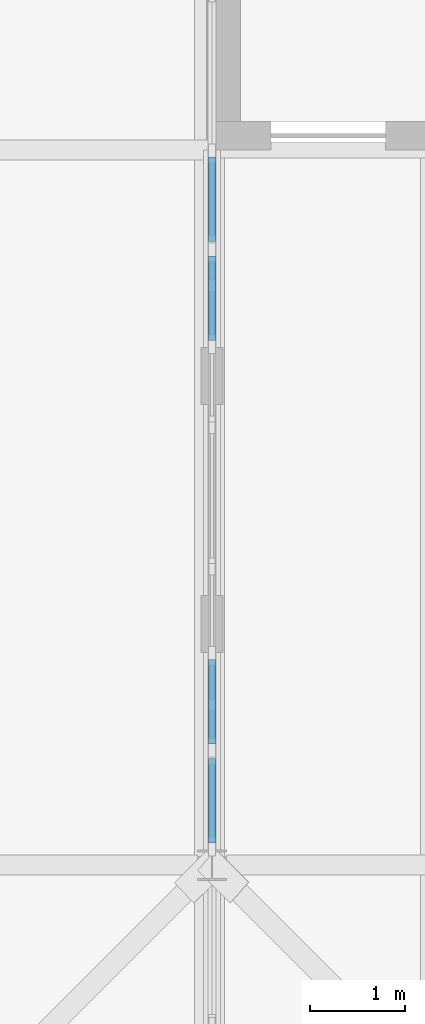
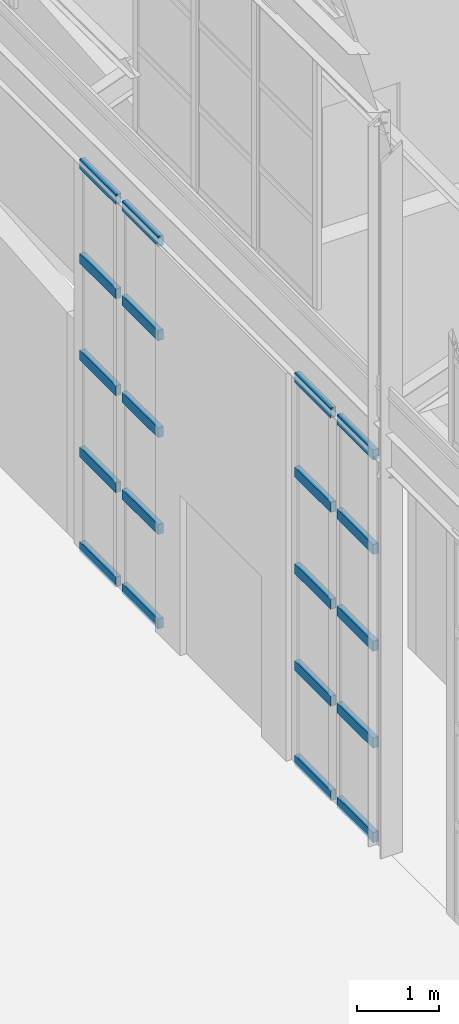
# One storey, part 105 of 483: 20 members, 4 elements without a shape of their own.
"""IFC4 building model written with IfcOpenShell, lengths in metres."""

import ifcopenshell
import ifcopenshell.guid

model = None  # the IFC model being written
_history = None  # IfcOwnerHistory: only IFC2X3 demands one
_inside = {}  # id of a spatial element -> (the spatial element, [elements in it])
_under = {}  # id of a project, library or spatial element -> (it, [spatial elements below it])
_declared = {}  # id of a project -> (the project, [libraries it declares])
_typed = {}  # id of a type object -> (the type object, [elements of that type])
_made_of = {}  # id of a material, layer set ... -> (it, [elements and type objects made of it])


def new_model(schema):
    """Start an empty IFC model of exactly this schema.

    Asked for "IFC4X3", IfcOpenShell would pick the latest addendum, in which some entities
    have other attributes; the version numbers below select the first issue.
    IFC2X3 requires an IfcOwnerHistory on every rooted entity: one is made here for all.
    """
    global model, _history
    if schema == "IFC4X3":
        model = ifcopenshell.file(schema_version=(4, 3, 0, 0))
    else:
        model = ifcopenshell.file(schema=schema)
    _inside.clear()
    _under.clear()
    _declared.clear()
    _typed.clear()
    _made_of.clear()
    _history = None
    if model.schema == "IFC2X3":
        org = make("IfcOrganization", Name="unknown")
        user = make(
            "IfcPersonAndOrganization",
            ThePerson=make("IfcPerson", FamilyName="unknown"),
            TheOrganization=org,
        )
        app = make(
            "IfcApplication",
            ApplicationDeveloper=org,
            Version="unknown",
            ApplicationFullName="unknown",
            ApplicationIdentifier="unknown",
        )
        _history = make(
            "IfcOwnerHistory",
            OwningUser=user,
            OwningApplication=app,
            ChangeAction="ADDED",
            CreationDate=0,
        )
    return model


def make(cls, **values):
    """One entity of the class cls with the attributes given. An attribute that is None is left unset."""
    return model.create_entity(
        cls, **{name: value for name, value in values.items() if value is not None}
    )


def rooted(cls, **values):
    """An entity with a GlobalId (a new one), such as an element, a storey or a relation."""
    return make(cls, GlobalId=ifcopenshell.guid.new(), OwnerHistory=_history, **values)


def si_unit(unit_type, name, prefix=None):
    """IfcSIUnit, for example si_unit("LENGTHUNIT", "METRE", prefix="MILLI")."""
    return make("IfcSIUnit", UnitType=unit_type, Prefix=prefix, Name=name)


def assignment(units):
    """IfcUnitAssignment: the units of a project."""
    return None if units is None else make("IfcUnitAssignment", Units=units)


def point(xyz):
    """IfcCartesianPoint."""
    return None if xyz is None else make("IfcCartesianPoint", Coordinates=xyz)


def direction(xyz):
    """IfcDirection."""
    return None if xyz is None else make("IfcDirection", DirectionRatios=xyz)


def frame(location, z_axis=None, x_axis=None):
    """IfcAxis2Placement3D, a coordinate frame: its origin and axes. An axis left out is left unset."""
    return make(
        "IfcAxis2Placement3D",
        Location=point(location),
        Axis=direction(z_axis),
        RefDirection=direction(x_axis),
    )


def frame_2d(location, x_axis=None):
    """IfcAxis2Placement2D, a coordinate frame in the plane: its origin and x axis."""
    return make(
        "IfcAxis2Placement2D", Location=point(location), RefDirection=direction(x_axis)
    )


def origin():
    """The frame at (0, 0, 0) with its axes left unset."""
    return frame((0.0, 0.0, 0.0))


def origin_2d():
    """The frame at (0, 0) in the plane with its x axis left unset."""
    return frame_2d((0.0, 0.0))


def place(relative_to, where):
    """IfcLocalPlacement: puts the frame where relative to a parent placement (None: the world)."""
    return make(
        "IfcLocalPlacement", PlacementRelTo=relative_to, RelativePlacement=where
    )


def context(
    kind, dimensions, precision=None, world=None, true_north=None, identifier=None
):
    """IfcGeometricRepresentationContext, for example the 3D "Model" context."""
    return make(
        "IfcGeometricRepresentationContext",
        ContextIdentifier=identifier,
        ContextType=kind,
        CoordinateSpaceDimension=dimensions,
        Precision=precision,
        WorldCoordinateSystem=world,
        TrueNorth=true_north,
    )


def subcontext(parent, identifier, kind, view, scale=None):
    """IfcGeometricRepresentationSubContext, for example "Body" below "Model"."""
    return make(
        "IfcGeometricRepresentationSubContext",
        ContextIdentifier=identifier,
        ContextType=kind,
        ParentContext=parent,
        TargetScale=scale,
        TargetView=view,
    )


def project(units=None, contexts=None):
    """IfcProject with its units and contexts."""
    return rooted(
        "IfcProject",
        Name="project",
        RepresentationContexts=contexts,
        UnitsInContext=assignment(units),
    )


def spatial(cls, under=None, at=None, **own):
    """A site, building, storey or space (cls), placed at a placement, below another one or the project."""
    s = rooted(cls, ObjectPlacement=at, **own)
    if under is not None:
        _under.setdefault(under.id(), (under, []))[1].append(s)
    return s


def profile(cls, at=None, kind="AREA", **sizes):
    """A parametric profile (cls). Its sizes go by their IFC names, for example OverallWidth=200.0."""
    return make(cls, ProfileType=kind, Position=at, **sizes)


def rectangle(**sizes):
    """IfcRectangleProfileDef."""
    return profile("IfcRectangleProfileDef", **sizes)


def extrude(swept, where, along, depth):
    """IfcExtrudedAreaSolid: the profile swept, set in the frame where, extruded along a direction by depth."""
    return make(
        "IfcExtrudedAreaSolid",
        SweptArea=swept,
        Position=where,
        ExtrudedDirection=direction(along),
        Depth=depth,
    )


def shape(context_of_items, identifier, shape_type, items):
    """IfcShapeRepresentation: the items that make up one representation, for example the "Body"."""
    return make(
        "IfcShapeRepresentation",
        ContextOfItems=context_of_items,
        RepresentationIdentifier=identifier,
        RepresentationType=shape_type,
        Items=items,
    )


def material(Name=None, Category=None):
    """IfcMaterial."""
    return make("IfcMaterial", Name=Name, Category=Category)


def material_profile(
    of_material, cross_section, Name=None, Category=None, Priority=None
):
    """IfcMaterialProfile: a cross section and its material."""
    return make(
        "IfcMaterialProfile",
        Name=Name,
        Material=of_material,
        Profile=cross_section,
        Priority=Priority,
        Category=Category,
    )


def profile_set(profiles, Name=None, composite=None):
    """IfcMaterialProfileSet."""
    return make(
        "IfcMaterialProfileSet",
        Name=Name,
        MaterialProfiles=profiles,
        CompositeProfile=composite,
    )


def made_of(thing, what):
    """Note that an element or type object is made of a material, layer set ...; save() writes the relation."""
    if what is not None:
        _made_of.setdefault(what.id(), (what, []))[1].append(thing)
    return thing


def type_object(cls, material=None, **own):
    """A type object (cls), such as IfcWallType, which elements share."""
    return made_of(rooted(cls, **own), material)


def element(
    cls,
    number,
    at=None,
    inside=None,
    cuts=None,
    type_object=None,
    material=None,
    context=None,
    identifier="Body",
    shape_type=None,
    held_by="IfcProductDefinitionShape",
    body=None,
    shapes=None,
    **own,
):
    """One element of the class cls, such as IfcWall. Its Tag is "e" and its number.

    at: its placement. inside: the storey or other place that contains it. cuts: it is an
    opening in that element (IfcRelVoidsElement). A single representation is given by context,
    identifier, shape_type and body (its items); several are given by shapes. held_by: the class
    of the entity that holds the representations. save() writes the other relations.
    """
    e = rooted(cls, Tag="e%d" % number, ObjectPlacement=at, **own)
    if body is not None:
        shapes = [shape(context, identifier, shape_type, body)]
    if shapes is not None:
        e.Representation = make(held_by, Representations=shapes)
    if inside is not None:
        _inside.setdefault(inside.id(), (inside, []))[1].append(e)
    if cuts is not None:
        rooted(
            "IfcRelVoidsElement", RelatingBuildingElement=cuts, RelatedOpeningElement=e
        )
    if type_object is not None:
        _typed.setdefault(type_object.id(), (type_object, []))[1].append(e)
    return made_of(e, material)


def aggregate(whole, parts):
    """IfcRelAggregates: a whole, such as a stair, and the parts it consists of."""
    return rooted("IfcRelAggregates", RelatingObject=whole, RelatedObjects=parts)


def save(model, path):
    """Write the relations noted so far, then the file.

    IfcRelAggregates (storeys below a building ...), IfcRelContainedInSpatialStructure (elements
    in a storey), IfcRelDefinesByType, IfcRelAssociatesMaterial and IfcRelDeclares: one each for
    every whole, place, type object, material and project.
    """
    for whole, parts in _under.values():
        aggregate(whole, parts)
    for where, things in _inside.values():
        rooted(
            "IfcRelContainedInSpatialStructure",
            RelatedElements=things,
            RelatingStructure=where,
        )
    for kind, things in _typed.values():
        rooted("IfcRelDefinesByType", RelatedObjects=things, RelatingType=kind)
    for what, things in _made_of.values():
        rooted("IfcRelAssociatesMaterial", RelatedObjects=things, RelatingMaterial=what)
    for by, libraries in _declared.values():
        rooted("IfcRelDeclares", RelatingContext=by, RelatedDefinitions=libraries)
    model.write(path)


model = new_model("IFC4")

# Units and contexts
model_context = context("Model", 3, precision=1e-05, world=origin(), true_north=direction((0.0, 1.0)))
body_context = subcontext(model_context, "Body", "Model", "MODEL_VIEW")
ifc_project = project(units=[si_unit("LENGTHUNIT", "METRE"), si_unit("AREAUNIT", "SQUARE_METRE"), si_unit("VOLUMEUNIT", "CUBIC_METRE"), si_unit("PLANEANGLEUNIT", "RADIAN"), si_unit("MASSUNIT", "GRAM", prefix="KILO")], contexts=[model_context])

# Site, building, storey
site_placement = place(None, origin())
site = spatial("IfcSite", under=ifc_project, at=site_placement, CompositionType="ELEMENT")
building_placement = place(site_placement, origin())
building = spatial("IfcBuilding", under=site, at=building_placement, Name="Parallax Yard Mobility Hub", CompositionType="ELEMENT")
storey_placement = place(building_placement, frame((0.0, 0.0, 13.199951171875)))
storey = spatial("IfcBuildingStorey", under=building, at=storey_placement, Name="L04", CompositionType="ELEMENT", Elevation=13.199951171875)

# Curtain wall, members
ifc_material_1 = material(Name="Thermally broken aluminium curtain wall system", Category="aluminium")
curtain_wall_type = type_object("IfcCurtainWallType", Name="Tall curtain wall run 75 x 200 frame", PredefinedType="NOTDEFINED", material=ifc_material_1)
curtain_wall_1_placement = place(storey_placement, origin())
curtain_wall_1 = element("IfcCurtainWall", 1, at=curtain_wall_1_placement, inside=storey, type_object=curtain_wall_type, Name="Curtain wall run Rooftop sports deck west bay 3 level L04", PredefinedType="NOTDEFINED")
ifc_material_2 = material(Name="Extruded aluminium", Category="aluminium")
ifc_material_profile = material_profile(ifc_material_2, rectangle(XDim=0.074951171875, YDim=0.14990234375, at=origin_2d()), Name="Transom 75 x 150")
ifc_profile_set = profile_set([ifc_material_profile], Name="Extruded aluminium")
member_type = type_object("IfcMemberType", Name="Transom 75 x 150", PredefinedType="USERDEFINED", material=ifc_profile_set)
member_1_placement = place(storey_placement, frame((127.5, 37.73388671875, 0.03759765625), z_axis=(0.0, 1.0, 0.0), x_axis=(-1.0, 0.0, 0.0)))
member_1 = element("IfcMember", 2, at=member_1_placement, type_object=member_type, Name="CW3 transom 1.1", ObjectType="TRANSOM", PredefinedType="USERDEFINED", context=body_context, shape_type="SweptSolid", body=[
    extrude(rectangle(XDim=0.074951171875, YDim=0.14990234375, at=origin_2d()), origin(), (0.0, 0.0, 1.0), 0.88525390625),
])
member_2_placement = place(storey_placement, frame((127.5, 37.73388671875, 1.449951171875), z_axis=(0.0, 1.0, 0.0), x_axis=(-1.0, 0.0, 0.0)))
member_2 = element("IfcMember", 3, at=member_2_placement, type_object=member_type, Name="CW3 transom 1.2", ObjectType="TRANSOM", PredefinedType="USERDEFINED", context=body_context, shape_type="SweptSolid", body=[
    extrude(rectangle(XDim=0.074951171875, YDim=0.14990234375, at=origin_2d()), origin(), (0.0, 0.0, 1.0), 0.88525390625),
])
member_3_placement = place(storey_placement, frame((127.5, 37.73388671875, 2.900146484375), z_axis=(0.0, 1.0, 0.0), x_axis=(-1.0, 0.0, 0.0)))
member_3 = element("IfcMember", 4, at=member_3_placement, type_object=member_type, Name="CW3 transom 1.3", ObjectType="TRANSOM", PredefinedType="USERDEFINED", context=body_context, shape_type="SweptSolid", body=[
    extrude(rectangle(XDim=0.074951171875, YDim=0.14990234375, at=origin_2d()), origin(), (0.0, 0.0, 1.0), 0.88525390625),
])
member_4_placement = place(storey_placement, frame((127.5, 37.73388671875, 4.35009765625), z_axis=(0.0, 1.0, 0.0), x_axis=(-1.0, 0.0, 0.0)))
member_4 = element("IfcMember", 5, at=member_4_placement, type_object=member_type, Name="CW3 transom 1.4", ObjectType="TRANSOM", PredefinedType="USERDEFINED", context=body_context, shape_type="SweptSolid", body=[
    extrude(rectangle(XDim=0.074951171875, YDim=0.14990234375, at=origin_2d()), origin(), (0.0, 0.0, 1.0), 0.88525390625),
])
member_5_placement = place(storey_placement, frame((127.5, 37.73388671875, 5.762451171875), z_axis=(0.0, 1.0, 0.0), x_axis=(-1.0, 0.0, 0.0)))
member_5 = element("IfcMember", 6, at=member_5_placement, type_object=member_type, Name="CW3 transom 1.5", ObjectType="TRANSOM", PredefinedType="USERDEFINED", context=body_context, shape_type="SweptSolid", body=[
    extrude(rectangle(XDim=0.074951171875, YDim=0.14990234375, at=origin_2d()), origin(), (0.0, 0.0, 1.0), 0.88525390625),
])
aggregate(curtain_wall_1, [member_1, member_2, member_3, member_4, member_5])

curtain_wall_2_placement = place(storey_placement, origin())
curtain_wall_2 = element("IfcCurtainWall", 7, at=curtain_wall_2_placement, inside=storey, type_object=curtain_wall_type, Name="Curtain wall run Rooftop sports deck west bay 3 level L04", PredefinedType="NOTDEFINED")
member_6_placement = place(storey_placement, frame((127.5, 38.769287109375, 0.03759765625), z_axis=(0.0, 1.0, 0.0), x_axis=(-1.0, 0.0, 0.0)))
member_6 = element("IfcMember", 8, at=member_6_placement, type_object=member_type, Name="CW3 transom 1.1", ObjectType="TRANSOM", PredefinedType="USERDEFINED", context=body_context, shape_type="SweptSolid", body=[
    extrude(rectangle(XDim=0.074951171875, YDim=0.14990234375, at=origin_2d()), origin(), (0.0, 0.0, 1.0), 0.88525390625),
])
member_7_placement = place(storey_placement, frame((127.5, 38.769287109375, 1.449951171875), z_axis=(0.0, 1.0, 0.0), x_axis=(-1.0, 0.0, 0.0)))
member_7 = element("IfcMember", 9, at=member_7_placement, type_object=member_type, Name="CW3 transom 1.2", ObjectType="TRANSOM", PredefinedType="USERDEFINED", context=body_context, shape_type="SweptSolid", body=[
    extrude(rectangle(XDim=0.074951171875, YDim=0.14990234375, at=origin_2d()), origin(), (0.0, 0.0, 1.0), 0.88525390625),
])
member_8_placement = place(storey_placement, frame((127.5, 38.769287109375, 2.900146484375), z_axis=(0.0, 1.0, 0.0), x_axis=(-1.0, 0.0, 0.0)))
member_8 = element("IfcMember", 10, at=member_8_placement, type_object=member_type, Name="CW3 transom 1.3", ObjectType="TRANSOM", PredefinedType="USERDEFINED", context=body_context, shape_type="SweptSolid", body=[
    extrude(rectangle(XDim=0.074951171875, YDim=0.14990234375, at=origin_2d()), origin(), (0.0, 0.0, 1.0), 0.88525390625),
])
member_9_placement = place(storey_placement, frame((127.5, 38.769287109375, 4.35009765625), z_axis=(0.0, 1.0, 0.0), x_axis=(-1.0, 0.0, 0.0)))
member_9 = element("IfcMember", 11, at=member_9_placement, type_object=member_type, Name="CW3 transom 1.4", ObjectType="TRANSOM", PredefinedType="USERDEFINED", context=body_context, shape_type="SweptSolid", body=[
    extrude(rectangle(XDim=0.074951171875, YDim=0.14990234375, at=origin_2d()), origin(), (0.0, 0.0, 1.0), 0.88525390625),
])
member_10_placement = place(storey_placement, frame((127.5, 38.769287109375, 5.762451171875), z_axis=(0.0, 1.0, 0.0), x_axis=(-1.0, 0.0, 0.0)))
member_10 = element("IfcMember", 12, at=member_10_placement, type_object=member_type, Name="CW3 transom 1.5", ObjectType="TRANSOM", PredefinedType="USERDEFINED", context=body_context, shape_type="SweptSolid", body=[
    extrude(rectangle(XDim=0.074951171875, YDim=0.14990234375, at=origin_2d()), origin(), (0.0, 0.0, 1.0), 0.88525390625),
])
aggregate(curtain_wall_2, [member_6, member_7, member_8, member_9, member_10])

curtain_wall_3_placement = place(storey_placement, origin())
curtain_wall_3 = element("IfcCurtainWall", 13, at=curtain_wall_3_placement, inside=storey, type_object=curtain_wall_type, Name="Curtain wall run Rooftop sports deck west bay 3 level L04", PredefinedType="NOTDEFINED")
member_11_placement = place(storey_placement, frame((127.5, 43.00439453125, 0.03759765625), z_axis=(0.0, 1.0, 0.0), x_axis=(-1.0, 0.0, 0.0)))
member_11 = element("IfcMember", 14, at=member_11_placement, type_object=member_type, Name="CW3 transom 1.1", ObjectType="TRANSOM", PredefinedType="USERDEFINED", context=body_context, shape_type="SweptSolid", body=[
    extrude(rectangle(XDim=0.074951171875, YDim=0.14990234375, at=origin_2d()), origin(), (0.0, 0.0, 1.0), 0.88525390625),
])
member_12_placement = place(storey_placement, frame((127.5, 43.00439453125, 1.449951171875), z_axis=(0.0, 1.0, 0.0), x_axis=(-1.0, 0.0, 0.0)))
member_12 = element("IfcMember", 15, at=member_12_placement, type_object=member_type, Name="CW3 transom 1.2", ObjectType="TRANSOM", PredefinedType="USERDEFINED", context=body_context, shape_type="SweptSolid", body=[
    extrude(rectangle(XDim=0.074951171875, YDim=0.14990234375, at=origin_2d()), origin(), (0.0, 0.0, 1.0), 0.88525390625),
])
member_13_placement = place(storey_placement, frame((127.5, 43.00439453125, 2.900146484375), z_axis=(0.0, 1.0, 0.0), x_axis=(-1.0, 0.0, 0.0)))
member_13 = element("IfcMember", 16, at=member_13_placement, type_object=member_type, Name="CW3 transom 1.3", ObjectType="TRANSOM", PredefinedType="USERDEFINED", context=body_context, shape_type="SweptSolid", body=[
    extrude(rectangle(XDim=0.074951171875, YDim=0.14990234375, at=origin_2d()), origin(), (0.0, 0.0, 1.0), 0.88525390625),
])
member_14_placement = place(storey_placement, frame((127.5, 43.00439453125, 4.35009765625), z_axis=(0.0, 1.0, 0.0), x_axis=(-1.0, 0.0, 0.0)))
member_14 = element("IfcMember", 17, at=member_14_placement, type_object=member_type, Name="CW3 transom 1.4", ObjectType="TRANSOM", PredefinedType="USERDEFINED", context=body_context, shape_type="SweptSolid", body=[
    extrude(rectangle(XDim=0.074951171875, YDim=0.14990234375, at=origin_2d()), origin(), (0.0, 0.0, 1.0), 0.88525390625),
])
member_15_placement = place(storey_placement, frame((127.5, 43.00439453125, 5.762451171875), z_axis=(0.0, 1.0, 0.0), x_axis=(-1.0, 0.0, 0.0)))
member_15 = element("IfcMember", 18, at=member_15_placement, type_object=member_type, Name="CW3 transom 1.5", ObjectType="TRANSOM", PredefinedType="USERDEFINED", context=body_context, shape_type="SweptSolid", body=[
    extrude(rectangle(XDim=0.074951171875, YDim=0.14990234375, at=origin_2d()), origin(), (0.0, 0.0, 1.0), 0.88525390625),
])
aggregate(curtain_wall_3, [member_11, member_12, member_13, member_14, member_15])

curtain_wall_4_placement = place(storey_placement, origin())
curtain_wall_4 = element("IfcCurtainWall", 19, at=curtain_wall_4_placement, inside=storey, type_object=curtain_wall_type, Name="Curtain wall run Rooftop sports deck west bay 3 level L04", PredefinedType="NOTDEFINED")
member_16_placement = place(storey_placement, frame((127.5, 44.039794921875, 0.03759765625), z_axis=(0.0, 1.0, 0.0), x_axis=(-1.0, 0.0, 0.0)))
member_16 = element("IfcMember", 20, at=member_16_placement, type_object=member_type, Name="CW3 transom 1.1", ObjectType="TRANSOM", PredefinedType="USERDEFINED", context=body_context, shape_type="SweptSolid", body=[
    extrude(rectangle(XDim=0.074951171875, YDim=0.14990234375, at=origin_2d()), origin(), (0.0, 0.0, 1.0), 0.88525390625),
])
member_17_placement = place(storey_placement, frame((127.5, 44.039794921875, 1.449951171875), z_axis=(0.0, 1.0, 0.0), x_axis=(-1.0, 0.0, 0.0)))
member_17 = element("IfcMember", 21, at=member_17_placement, type_object=member_type, Name="CW3 transom 1.2", ObjectType="TRANSOM", PredefinedType="USERDEFINED", context=body_context, shape_type="SweptSolid", body=[
    extrude(rectangle(XDim=0.074951171875, YDim=0.14990234375, at=origin_2d()), origin(), (0.0, 0.0, 1.0), 0.88525390625),
])
member_18_placement = place(storey_placement, frame((127.5, 44.039794921875, 2.900146484375), z_axis=(0.0, 1.0, 0.0), x_axis=(-1.0, 0.0, 0.0)))
member_18 = element("IfcMember", 22, at=member_18_placement, type_object=member_type, Name="CW3 transom 1.3", ObjectType="TRANSOM", PredefinedType="USERDEFINED", context=body_context, shape_type="SweptSolid", body=[
    extrude(rectangle(XDim=0.074951171875, YDim=0.14990234375, at=origin_2d()), origin(), (0.0, 0.0, 1.0), 0.88525390625),
])
member_19_placement = place(storey_placement, frame((127.5, 44.039794921875, 4.35009765625), z_axis=(0.0, 1.0, 0.0), x_axis=(-1.0, 0.0, 0.0)))
member_19 = element("IfcMember", 23, at=member_19_placement, type_object=member_type, Name="CW3 transom 1.4", ObjectType="TRANSOM", PredefinedType="USERDEFINED", context=body_context, shape_type="SweptSolid", body=[
    extrude(rectangle(XDim=0.074951171875, YDim=0.14990234375, at=origin_2d()), origin(), (0.0, 0.0, 1.0), 0.88525390625),
])
member_20_placement = place(storey_placement, frame((127.5, 44.039794921875, 5.762451171875), z_axis=(0.0, 1.0, 0.0), x_axis=(-1.0, 0.0, 0.0)))
member_20 = element("IfcMember", 24, at=member_20_placement, type_object=member_type, Name="CW3 transom 1.5", ObjectType="TRANSOM", PredefinedType="USERDEFINED", context=body_context, shape_type="SweptSolid", body=[
    extrude(rectangle(XDim=0.074951171875, YDim=0.14990234375, at=origin_2d()), origin(), (0.0, 0.0, 1.0), 0.88525390625),
])
aggregate(curtain_wall_4, [member_16, member_17, member_18, member_19, member_20])

save(model, "model.ifc")
